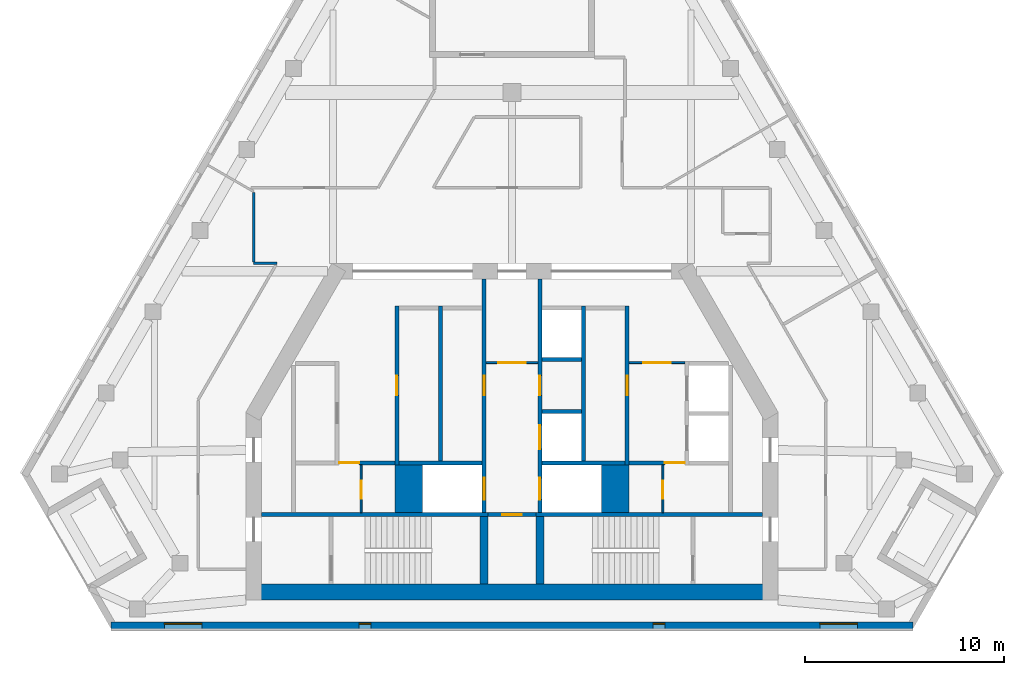
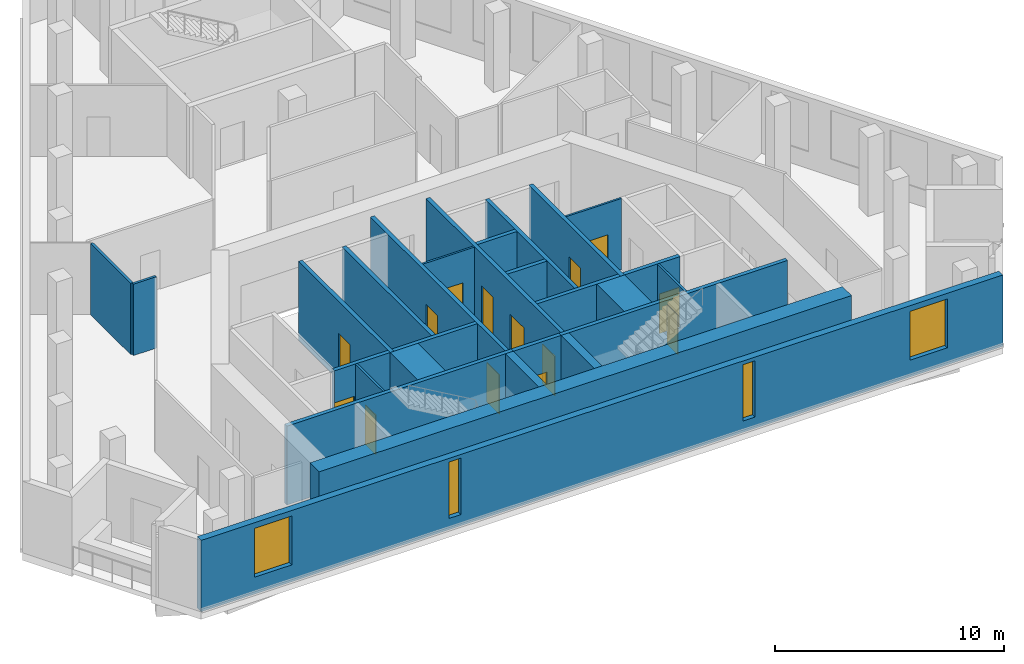
# One storey, part 3 of 8: 27 walls, 14 doors, 4 windows, 18 openings.
"""IFC4 building model written with IfcOpenShell, lengths in metres."""

from ifc_helpers import new_model, si_unit, direction, frame, frame_2d, origin, place, context, subcontext, project, spatial, rectangle, extrude, material, layer, layer_set, type_object, element, fill, save


model = new_model("IFC4")

# Units and contexts
model_context = context("Model", 3, precision=1e-05, world=origin(), true_north=direction((0.0, 1.0)))
body_context = subcontext(model_context, "Body", "Model", "MODEL_VIEW")
ifc_project = project(units=[si_unit("LENGTHUNIT", "METRE"), si_unit("AREAUNIT", "SQUARE_METRE"), si_unit("VOLUMEUNIT", "CUBIC_METRE"), si_unit("PLANEANGLEUNIT", "RADIAN"), si_unit("MASSUNIT", "GRAM", prefix="KILO")], contexts=[model_context])

# Site, building, storey
site_placement = place(None, origin())
site = spatial("IfcSite", under=ifc_project, at=site_placement, CompositionType="ELEMENT")
building_placement = place(site_placement, origin())
building = spatial("IfcBuilding", under=site, at=building_placement, Name="Fogline Exchange Tower", CompositionType="ELEMENT")
storey_placement = place(building_placement, frame((0.0, 0.0, 314.10009765625)))
storey = spatial("IfcBuildingStorey", under=building, at=storey_placement, Name="L71", CompositionType="ELEMENT", Elevation=314.10009765625)

# Wall, opening, door
ifc_material_1 = material(Name="Blockwork partition", Category="masonry")
ifc_layer_1 = layer(ifc_material_1, 0.10009765625)
ifc_layer_set_1 = layer_set([ifc_layer_1], Name="CW10")
wall_type_1 = type_object("IfcWallType", Name="CW10", PredefinedType="PARTITIONING", material=ifc_layer_set_1)
wall_1_placement = place(storey_placement, frame((-7.60009765625, 5.85009765625, 0.0), z_axis=(0.0, 0.0, 1.0), x_axis=(0.0, 1.0, 0.0)))
wall_1 = element("IfcWall", 1, at=wall_1_placement, inside=storey, type_object=wall_type_1, Name="WC partition", PredefinedType="PARTITIONING", context=body_context, shape_type="SweptSolid", body=[
    extrude(rectangle(XDim=2.39990234375, YDim=0.10009765625, at=frame_2d((1.199951171875, 0.0))), origin(), (0.0, 0.0, 1.0), 3.7998046875),
])
opening_1_placement = place(wall_1_placement, frame((0.699951171875, 0.0, 0.0)))
opening_1 = element("IfcOpeningElement", 2, at=opening_1_placement, cuts=wall_1, Name="Opening T22-C008", PredefinedType="OPENING", context=body_context, shape_type="SweptSolid", body=[
    extrude(rectangle(XDim=0.89990234375, YDim=2.10009765625, at=frame_2d((0.449951171875, 1.050048828125))), frame((0.0, 0.06005859375, 0.0), z_axis=(0.0, -1.0, 0.0), x_axis=(1.0, 0.0, 0.0)), (0.0, 0.0, 1.0), 0.1201171875),
])
ifc_material_2 = material(Name="Steel and timber fire door", Category="steel")
door_type_1 = type_object("IfcDoorType", Name="D-CS1", OperationType="SINGLE_SWING_RIGHT", PredefinedType="DOOR", material=ifc_material_2)
door_1_placement = place(opening_1_placement, frame((0.89990234375, 0.0, 0.0), z_axis=(0.0, 0.0, 1.0), x_axis=(-1.0, 0.0, 0.0)))
door_1 = element("IfcDoor", 3, at=door_1_placement, inside=storey, type_object=door_type_1, Name="Door to Cleaner's Store", OperationType="SINGLE_SWING_RIGHT", OverallHeight=2.10009765625, OverallWidth=0.89990234375, PredefinedType="DOOR", context=body_context, shape_type="SweptSolid", body=[
    extrude(rectangle(XDim=0.89990234375, YDim=2.10009765625, at=frame_2d((0.449951171875, 1.050048828125))), frame((0.0, 0.02490234375, 0.0), z_axis=(0.0, -1.0, 0.0), x_axis=(1.0, 0.0, 0.0)), (0.0, 0.0, 1.0), 0.050048828125),
])
fill(opening_1, door_1)

wall_2_placement = place(storey_placement, frame((5.89990234375, 13.39990234375, 0.0), z_axis=(0.0, 0.0, 1.0), x_axis=(1.0, 0.0, 0.0)))
wall_2 = element("IfcWall", 4, at=wall_2_placement, inside=storey, type_object=wall_type_1, Name="Lift lobby partition", PredefinedType="PARTITIONING", context=body_context, shape_type="SweptSolid", body=[
    extrude(rectangle(XDim=2.800048828125, YDim=0.10009765625, at=frame_2d((1.39990234375, 0.0))), origin(), (0.0, 0.0, 1.0), 3.7998046875),
])
opening_2_placement = place(wall_2_placement, frame((0.699951171875, 0.0, 0.0)))
opening_2 = element("IfcOpeningElement", 5, at=opening_2_placement, cuts=wall_2, Name="Opening T22-C012", PredefinedType="OPENING", context=body_context, shape_type="SweptSolid", body=[
    extrude(rectangle(XDim=1.39990234375, YDim=2.10009765625, at=frame_2d((0.699951171875, 1.050048828125))), frame((0.0, 0.06005859375, 0.0), z_axis=(0.0, -1.0, 0.0), x_axis=(1.0, 0.0, 0.0)), (0.0, 0.0, 1.0), 0.1201171875),
])
door_type_2 = type_object("IfcDoorType", Name="D-LB1", OperationType="DOUBLE_DOOR_SINGLE_SWING", PredefinedType="DOOR", material=ifc_material_2)
door_2_placement = place(opening_2_placement, frame((1.39990234375, 0.0, 0.0), z_axis=(0.0, 0.0, 1.0), x_axis=(-1.0, 0.0, 0.0)))
door_2 = element("IfcDoor", 6, at=door_2_placement, inside=storey, type_object=door_type_2, Name="Door to lift lobby", OperationType="DOUBLE_DOOR_SINGLE_SWING", OverallHeight=2.10009765625, OverallWidth=1.39990234375, PredefinedType="DOOR", context=body_context, shape_type="SweptSolid", body=[
    extrude(rectangle(XDim=1.39990234375, YDim=2.10009765625, at=frame_2d((0.699951171875, 1.050048828125))), frame((0.0, 0.02490234375, 0.0), z_axis=(0.0, -1.0, 0.0), x_axis=(1.0, 0.0, 0.0)), (0.0, 0.0, 1.0), 0.050048828125),
])
fill(opening_2, door_2)

wall_3_placement = place(storey_placement, frame((7.60009765625, 5.85009765625, 0.0), z_axis=(0.0, 0.0, 1.0), x_axis=(0.0, 1.0, 0.0)))
wall_3 = element("IfcWall", 7, at=wall_3_placement, inside=storey, type_object=wall_type_1, Name="WC partition", PredefinedType="PARTITIONING", context=body_context, shape_type="SweptSolid", body=[
    extrude(rectangle(XDim=2.39990234375, YDim=0.10009765625, at=frame_2d((1.199951171875, 0.0))), origin(), (0.0, 0.0, 1.0), 3.7998046875),
])
opening_3_placement = place(wall_3_placement, frame((0.699951171875, 0.0, 0.0)))
opening_3 = element("IfcOpeningElement", 8, at=opening_3_placement, cuts=wall_3, Name="Opening T22-C014", PredefinedType="OPENING", context=body_context, shape_type="SweptSolid", body=[
    extrude(rectangle(XDim=0.89990234375, YDim=2.10009765625, at=frame_2d((0.449951171875, 1.050048828125))), frame((0.0, 0.06005859375, 0.0), z_axis=(0.0, -1.0, 0.0), x_axis=(1.0, 0.0, 0.0)), (0.0, 0.0, 1.0), 0.1201171875),
])
door_3_placement = place(opening_3_placement, origin())
door_3 = element("IfcDoor", 9, at=door_3_placement, inside=storey, type_object=door_type_1, Name="Door to Cleaner's Store", OperationType="SINGLE_SWING_LEFT", OverallHeight=2.10009765625, OverallWidth=0.89990234375, PredefinedType="DOOR", context=body_context, shape_type="SweptSolid", body=[
    extrude(rectangle(XDim=0.89990234375, YDim=2.10009765625, at=frame_2d((0.449951171875, 1.050048828125))), frame((0.0, 0.02490234375, 0.0), z_axis=(0.0, -1.0, 0.0), x_axis=(1.0, 0.0, 0.0)), (0.0, 0.0, 1.0), 0.050048828125),
])
fill(opening_3, door_3)

wall_4_placement = place(storey_placement, frame((-1.300048828125, 13.39990234375, 0.0), z_axis=(0.0, 0.0, 1.0), x_axis=(1.0, 0.0, 0.0)))
wall_4 = element("IfcWall", 10, at=wall_4_placement, inside=storey, type_object=wall_type_1, Name="Lift lobby partition", PredefinedType="PARTITIONING", context=body_context, shape_type="SweptSolid", body=[
    extrude(rectangle(XDim=2.60009765625, YDim=0.10009765625, at=frame_2d((1.300048828125, 0.0))), origin(), (0.0, 0.0, 1.0), 3.7998046875),
])
opening_4_placement = place(wall_4_placement, frame((0.60009765625, 0.0, 0.0)))
opening_4 = element("IfcOpeningElement", 11, at=opening_4_placement, cuts=wall_4, Name="Opening T22-C018", PredefinedType="OPENING", context=body_context, shape_type="SweptSolid", body=[
    extrude(rectangle(XDim=1.39990234375, YDim=2.10009765625, at=frame_2d((0.699951171875, 1.050048828125))), frame((0.0, 0.06005859375, 0.0), z_axis=(0.0, -1.0, 0.0), x_axis=(1.0, 0.0, 0.0)), (0.0, 0.0, 1.0), 0.1201171875),
])
door_4_placement = place(opening_4_placement, origin())
door_4 = element("IfcDoor", 12, at=door_4_placement, inside=storey, type_object=door_type_2, Name="Door to firefighting lift lobby", OperationType="DOUBLE_DOOR_SINGLE_SWING", OverallHeight=2.10009765625, OverallWidth=1.39990234375, PredefinedType="DOOR", context=body_context, shape_type="SweptSolid", body=[
    extrude(rectangle(XDim=1.39990234375, YDim=2.10009765625, at=frame_2d((0.699951171875, 1.050048828125))), frame((0.0, 0.02490234375, 0.0), z_axis=(0.0, -1.0, 0.0), x_axis=(1.0, 0.0, 0.0)), (0.0, 0.0, 1.0), 0.050048828125),
])
fill(opening_4, door_4)

# Walls
ifc_material_3 = material(Name="Concrete C60", Category="concrete")
ifc_layer_2 = layer(ifc_material_3, 1.39990234375)
ifc_layer_set_2 = layer_set([ifc_layer_2], Name="CW140")
wall_type_2 = type_object("IfcWallType", Name="CW140", PredefinedType="SOLIDWALL", material=ifc_layer_set_2)
for number, where, z_axis, x_axis, name in (
    (13, (-5.199951171875, 5.85009765625, -0.400146484375), (0.0, 0.0, 1.0), (0.0, 1.0, 0.0), "Lift shaft block wall"),
    (14, (5.199951171875, 5.85009765625, -0.400146484375), (0.0, 0.0, 1.0), (0.0, 1.0, 0.0), "Lift shaft block wall"),
):
    element("IfcWall", number, at=place(storey_placement, frame(where, z_axis=z_axis, x_axis=x_axis)), inside=storey, type_object=wall_type_2, Name=name, PredefinedType="SOLIDWALL", context=body_context, shape_type="SweptSolid", body=[
        extrude(rectangle(XDim=2.39990234375, YDim=1.39990234375, at=frame_2d((1.199951171875, 0.0))), origin(), (0.0, 0.0, 1.0), 4.199951171875),
    ])

# Wall, opening, door
ifc_material_4 = material(Name="Concrete C40", Category="concrete")
ifc_layer_3 = layer(ifc_material_4, 0.199951171875)
ifc_layer_set_3 = layer_set([ifc_layer_3], Name="CW20")
wall_type_3 = type_object("IfcWallType", Name="CW20", PredefinedType="SOLIDWALL", material=ifc_layer_set_3)
wall_5_placement = place(storey_placement, frame((-8.699951171875, 8.35009765625, 0.0), z_axis=(0.0, 0.0, 1.0), x_axis=(1.0, 0.0, 0.0)))
wall_5 = element("IfcWall", 15, at=wall_5_placement, inside=storey, type_object=wall_type_3, Name="WC wall", PredefinedType="SOLIDWALL", context=body_context, shape_type="SweptSolid", body=[
    extrude(rectangle(XDim=2.800048828125, YDim=0.199951171875, at=frame_2d((1.39990234375, 0.0))), origin(), (0.0, 0.0, 1.0), 3.7998046875),
])
opening_5_placement = place(wall_5_placement, origin())
opening_5 = element("IfcOpeningElement", 16, at=opening_5_placement, cuts=wall_5, Name="Opening T22-C007", PredefinedType="OPENING", context=body_context, shape_type="SweptSolid", body=[
    extrude(rectangle(XDim=1.0, YDim=2.10009765625, at=frame_2d((0.5, 1.050048828125))), frame((0.0, 0.10986328125, 0.0), z_axis=(0.0, -1.0, 0.0), x_axis=(1.0, 0.0, 0.0)), (0.0, 0.0, 1.0), 0.219970703125),
])
door_type_3 = type_object("IfcDoorType", Name="D-WC1", OperationType="SINGLE_SWING_LEFT", PredefinedType="DOOR", material=ifc_material_2)
door_5_placement = place(opening_5_placement, frame((1.0, 0.0, 0.0), z_axis=(0.0, 0.0, 1.0), x_axis=(-1.0, 0.0, 0.0)))
door_5 = element("IfcDoor", 17, at=door_5_placement, inside=storey, type_object=door_type_3, Name="Door to Men's WC", OperationType="SINGLE_SWING_LEFT", OverallHeight=2.10009765625, OverallWidth=1.0, PredefinedType="DOOR", context=body_context, shape_type="SweptSolid", body=[
    extrude(rectangle(XDim=1.0, YDim=2.10009765625, at=frame_2d((0.5, 1.050048828125))), frame((0.0, 0.02490234375, 0.0), z_axis=(0.0, -1.0, 0.0), x_axis=(1.0, 0.0, 0.0)), (0.0, 0.0, 1.0), 0.050048828125),
])
fill(opening_5, door_5)

wall_6_placement = place(storey_placement, frame((5.89990234375, 8.35009765625, 0.0), z_axis=(0.0, 0.0, 1.0), x_axis=(1.0, 0.0, 0.0)))
wall_6 = element("IfcWall", 18, at=wall_6_placement, inside=storey, type_object=wall_type_3, Name="WC wall", PredefinedType="SOLIDWALL", context=body_context, shape_type="SweptSolid", body=[
    extrude(rectangle(XDim=2.800048828125, YDim=0.199951171875, at=frame_2d((1.39990234375, 0.0))), origin(), (0.0, 0.0, 1.0), 3.7998046875),
])
opening_6_placement = place(wall_6_placement, frame((1.800048828125, 0.0, 0.0)))
opening_6 = element("IfcOpeningElement", 19, at=opening_6_placement, cuts=wall_6, Name="Opening T22-C013", PredefinedType="OPENING", context=body_context, shape_type="SweptSolid", body=[
    extrude(rectangle(XDim=1.0, YDim=2.10009765625, at=frame_2d((0.5, 1.050048828125))), frame((0.0, 0.10986328125, 0.0), z_axis=(0.0, -1.0, 0.0), x_axis=(1.0, 0.0, 0.0)), (0.0, 0.0, 1.0), 0.219970703125),
])
door_6_placement = place(opening_6_placement, frame((1.0, 0.0, 0.0), z_axis=(0.0, 0.0, 1.0), x_axis=(-1.0, 0.0, 0.0)))
door_6 = element("IfcDoor", 20, at=door_6_placement, inside=storey, type_object=door_type_3, Name="Door to Women's WC", OperationType="SINGLE_SWING_LEFT", OverallHeight=2.10009765625, OverallWidth=1.0, PredefinedType="DOOR", context=body_context, shape_type="SweptSolid", body=[
    extrude(rectangle(XDim=1.0, YDim=2.10009765625, at=frame_2d((0.5, 1.050048828125))), frame((0.0, 0.02490234375, 0.0), z_axis=(0.0, -1.0, 0.0), x_axis=(1.0, 0.0, 0.0)), (0.0, 0.0, 1.0), 0.050048828125),
])
fill(opening_6, door_6)

# Wall
ifc_layer_4 = layer(ifc_material_4, 0.199951171875)
ifc_layer_set_4 = layer_set([ifc_layer_4], Name="CW20R")
wall_type_4 = type_object("IfcWallType", Name="CW20R", PredefinedType="SOLIDWALL", material=ifc_layer_set_4)
wall_7_placement = place(storey_placement, frame((-12.60009765625, 5.75, -0.400146484375), z_axis=(0.0, 0.0, 1.0), x_axis=(1.0, 0.0, 0.0)))
element("IfcWall", 21, at=wall_7_placement, inside=storey, type_object=wall_type_4, Name="Stair enclosure wall", PredefinedType="SOLIDWALL", context=body_context, shape_type="SweptSolid", body=[
    extrude(rectangle(XDim=11.400146484375, YDim=0.199951171875, at=frame_2d((5.7001953125, 0.0))), origin(), (0.0, 0.0, 1.0), 4.199951171875),
])

# Wall, opening, door
wall_8_placement = place(storey_placement, frame((-1.199951171875, 5.75, -0.400146484375), z_axis=(0.0, 0.0, 1.0), x_axis=(1.0, 0.0, 0.0)))
wall_8 = element("IfcWall", 22, at=wall_8_placement, inside=storey, type_object=wall_type_4, Name="Stair enclosure wall", PredefinedType="SOLIDWALL", context=body_context, shape_type="SweptSolid", body=[
    extrude(rectangle(XDim=2.39990234375, YDim=0.199951171875, at=frame_2d((1.199951171875, 0.0))), origin(), (0.0, 0.0, 1.0), 4.199951171875),
])
opening_7_placement = place(wall_8_placement, frame((0.699951171875, 0.0, 0.39990234375)))
opening_7 = element("IfcOpeningElement", 23, at=opening_7_placement, cuts=wall_8, Name="Opening T22-C006", PredefinedType="OPENING", context=body_context, shape_type="SweptSolid", body=[
    extrude(rectangle(XDim=1.0, YDim=2.10009765625, at=frame_2d((0.5, 1.050048828125))), frame((0.0, 0.10986328125, 0.0), z_axis=(0.0, -1.0, 0.0), x_axis=(1.0, 0.0, 0.0)), (0.0, 0.0, 1.0), 0.219970703125),
])
door_type_4 = type_object("IfcDoorType", Name="D-RM1", OperationType="SINGLE_SWING_LEFT", PredefinedType="DOOR", material=ifc_material_2)
door_7_placement = place(opening_7_placement, frame((1.0, 0.0, 0.0), z_axis=(0.0, 0.0, 1.0), x_axis=(-1.0, 0.0, 0.0)))
door_7 = element("IfcDoor", 24, at=door_7_placement, inside=storey, type_object=door_type_4, Name="Door to Riser Room", OperationType="SINGLE_SWING_RIGHT", OverallHeight=2.10009765625, OverallWidth=1.0, PredefinedType="DOOR", context=body_context, shape_type="SweptSolid", body=[
    extrude(rectangle(XDim=1.0, YDim=2.10009765625, at=frame_2d((0.5, 1.050048828125))), frame((0.0, 0.02490234375, 0.0), z_axis=(0.0, -1.0, 0.0), x_axis=(1.0, 0.0, 0.0)), (0.0, 0.0, 1.0), 0.050048828125),
])
fill(opening_7, door_7)

# Wall
wall_9_placement = place(storey_placement, frame((1.199951171875, 5.75, -0.400146484375), z_axis=(0.0, 0.0, 1.0), x_axis=(1.0, 0.0, 0.0)))
element("IfcWall", 25, at=wall_9_placement, inside=storey, type_object=wall_type_4, Name="Stair enclosure wall", PredefinedType="SOLIDWALL", context=body_context, shape_type="SweptSolid", body=[
    extrude(rectangle(XDim=11.400146484375, YDim=0.199951171875, at=frame_2d((5.7001953125, 0.0))), origin(), (0.0, 0.0, 1.0), 4.199951171875),
])

# Wall, opening, door
ifc_layer_5 = layer(ifc_material_4, 0.199951171875)
ifc_layer_set_5 = layer_set([ifc_layer_5], Name="CW20S")
wall_type_5 = type_object("IfcWallType", Name="CW20S", PredefinedType="SOLIDWALL", material=ifc_layer_set_5)
wall_10_placement = place(storey_placement, frame((-5.800048828125, 8.25, -0.400146484375), z_axis=(0.0, 0.0, 1.0), x_axis=(0.0, 1.0, 0.0)))
wall_10 = element("IfcWall", 26, at=wall_10_placement, inside=storey, type_object=wall_type_5, Name="Lift shaft wall", PredefinedType="SOLIDWALL", context=body_context, shape_type="SweptSolid", body=[
    extrude(rectangle(XDim=8.0, YDim=0.199951171875, at=frame_2d((4.0, 0.0))), origin(), (0.0, 0.0, 1.0), 4.199951171875),
])
opening_8_placement = place(wall_10_placement, frame((3.5, 0.0, 0.39990234375)))
opening_8 = element("IfcOpeningElement", 27, at=opening_8_placement, cuts=wall_10, Name="Opening T22-C002", PredefinedType="OPENING", context=body_context, shape_type="SweptSolid", body=[
    extrude(rectangle(XDim=1.0, YDim=2.10009765625, at=frame_2d((0.5, 1.050048828125))), frame((0.0, 0.10986328125, 0.0), z_axis=(0.0, -1.0, 0.0), x_axis=(1.0, 0.0, 0.0)), (0.0, 0.0, 1.0), 0.219970703125),
])
door_8_placement = place(opening_8_placement, frame((1.0, 0.0, 0.0), z_axis=(0.0, 0.0, 1.0), x_axis=(-1.0, 0.0, 0.0)))
door_8 = element("IfcDoor", 28, at=door_8_placement, inside=storey, type_object=door_type_4, Name="Door to Service Hall", OperationType="SINGLE_SWING_RIGHT", OverallHeight=2.10009765625, OverallWidth=1.0, PredefinedType="DOOR", context=body_context, shape_type="SweptSolid", body=[
    extrude(rectangle(XDim=1.0, YDim=2.10009765625, at=frame_2d((0.5, 1.050048828125))), frame((0.0, 0.02490234375, 0.0), z_axis=(0.0, -1.0, 0.0), x_axis=(1.0, 0.0, 0.0)), (0.0, 0.0, 1.0), 0.050048828125),
])
fill(opening_8, door_8)

wall_11_placement = place(storey_placement, frame((5.800048828125, 8.25, -0.400146484375), z_axis=(0.0, 0.0, 1.0), x_axis=(0.0, 1.0, 0.0)))
wall_11 = element("IfcWall", 29, at=wall_11_placement, inside=storey, type_object=wall_type_5, Name="Lift shaft wall", PredefinedType="SOLIDWALL", context=body_context, shape_type="SweptSolid", body=[
    extrude(rectangle(XDim=8.0, YDim=0.199951171875, at=frame_2d((4.0, 0.0))), origin(), (0.0, 0.0, 1.0), 4.199951171875),
])
opening_9_placement = place(wall_11_placement, frame((3.5, 0.0, 0.39990234375)))
opening_9 = element("IfcOpeningElement", 30, at=opening_9_placement, cuts=wall_11, Name="Opening T22-C004", PredefinedType="OPENING", context=body_context, shape_type="SweptSolid", body=[
    extrude(rectangle(XDim=1.0, YDim=2.10009765625, at=frame_2d((0.5, 1.050048828125))), frame((0.0, 0.10986328125, 0.0), z_axis=(0.0, -1.0, 0.0), x_axis=(1.0, 0.0, 0.0)), (0.0, 0.0, 1.0), 0.219970703125),
])
door_9_placement = place(opening_9_placement, origin())
door_9 = element("IfcDoor", 31, at=door_9_placement, inside=storey, type_object=door_type_4, Name="Door to Trading Desk Annexe", OperationType="SINGLE_SWING_LEFT", OverallHeight=2.10009765625, OverallWidth=1.0, PredefinedType="DOOR", context=body_context, shape_type="SweptSolid", body=[
    extrude(rectangle(XDim=1.0, YDim=2.10009765625, at=frame_2d((0.5, 1.050048828125))), frame((0.0, 0.02490234375, 0.0), z_axis=(0.0, -1.0, 0.0), x_axis=(1.0, 0.0, 0.0)), (0.0, 0.0, 1.0), 0.050048828125),
])
fill(opening_9, door_9)

# Walls
for number, where, z_axis, x_axis, name in (
    (32, (-3.60009765625, 8.449951171875, -0.400146484375), (0.0, 0.0, 1.0), (0.0, 1.0, 0.0), "Lift shaft wall"),
    (33, (3.60009765625, 8.449951171875, -0.400146484375), (0.0, 0.0, 1.0), (0.0, 1.0, 0.0), "Lift shaft wall"),
):
    element("IfcWall", number, at=place(storey_placement, frame(where, z_axis=z_axis, x_axis=x_axis)), inside=storey, type_object=wall_type_5, Name=name, PredefinedType="SOLIDWALL", context=body_context, shape_type="SweptSolid", body=[
        extrude(rectangle(XDim=7.800048828125, YDim=0.199951171875, at=frame_2d((3.89990234375, 0.0))), origin(), (0.0, 0.0, 1.0), 4.199951171875),
    ])

# Wall, openings, doors
wall_12_placement = place(storey_placement, frame((-1.39990234375, 5.85009765625, -0.400146484375), z_axis=(0.0, 0.0, 1.0), x_axis=(0.0, 1.0, 0.0)))
wall_12 = element("IfcWall", 34, at=wall_12_placement, inside=storey, type_object=wall_type_5, Name="Lift lobby wall", PredefinedType="SOLIDWALL", context=body_context, shape_type="SweptSolid", body=[
    extrude(rectangle(XDim=11.75, YDim=0.199951171875, at=frame_2d((5.875, 0.0))), origin(), (0.0, 0.0, 1.0), 4.199951171875),
])
opening_10_placement = place(wall_12_placement, frame((0.64990234375, 0.0, 0.39990234375)))
opening_10 = element("IfcOpeningElement", 35, at=opening_10_placement, cuts=wall_12, Name="Opening T22-LD01", PredefinedType="OPENING", context=body_context, shape_type="SweptSolid", body=[
    extrude(rectangle(XDim=1.10009765625, YDim=2.10009765625, at=frame_2d((0.550048828125, 1.050048828125))), frame((0.0, 0.10986328125, 0.0), z_axis=(0.0, -1.0, 0.0), x_axis=(1.0, 0.0, 0.0)), (0.0, 0.0, 1.0), 0.219970703125),
])
opening_11_placement = place(wall_12_placement, frame((5.89990234375, 0.0, 0.39990234375)))
opening_11 = element("IfcOpeningElement", 36, at=opening_11_placement, cuts=wall_12, Name="Opening T22-C003", PredefinedType="OPENING", context=body_context, shape_type="SweptSolid", body=[
    extrude(rectangle(XDim=1.0, YDim=2.10009765625, at=frame_2d((0.5, 1.050048828125))), frame((0.0, 0.10986328125, 0.0), z_axis=(0.0, -1.0, 0.0), x_axis=(1.0, 0.0, 0.0)), (0.0, 0.0, 1.0), 0.219970703125),
])
door_10_placement = place(opening_11_placement, origin())
door_10 = element("IfcDoor", 37, at=door_10_placement, inside=storey, type_object=door_type_4, Name="Door to Records Hall", OperationType="SINGLE_SWING_LEFT", OverallHeight=2.10009765625, OverallWidth=1.0, PredefinedType="DOOR", context=body_context, shape_type="SweptSolid", body=[
    extrude(rectangle(XDim=1.0, YDim=2.10009765625, at=frame_2d((0.5, 1.050048828125))), frame((0.0, 0.02490234375, 0.0), z_axis=(0.0, -1.0, 0.0), x_axis=(1.0, 0.0, 0.0)), (0.0, 0.0, 1.0), 0.050048828125),
])
fill(opening_11, door_10)
door_type_5 = type_object("IfcDoorType", Name="LD2", OperationType="SLIDING_TO_RIGHT", PredefinedType="DOOR", material=ifc_material_2)
door_11_placement = place(opening_10_placement, origin())
door_11 = element("IfcDoor", 38, at=door_11_placement, inside=storey, type_object=door_type_5, Name="Landing door FF1", OperationType="SLIDING_TO_RIGHT", OverallHeight=2.10009765625, OverallWidth=1.10009765625, PredefinedType="DOOR", context=body_context, shape_type="SweptSolid", body=[
    extrude(rectangle(XDim=1.10009765625, YDim=2.10009765625, at=frame_2d((0.550048828125, 1.050048828125))), frame((0.0, 0.02490234375, 0.0), z_axis=(0.0, -1.0, 0.0), x_axis=(1.0, 0.0, 0.0)), (0.0, 0.0, 1.0), 0.050048828125),
])
fill(opening_10, door_11)

wall_13_placement = place(storey_placement, frame((1.39990234375, 5.85009765625, -0.400146484375), z_axis=(0.0, 0.0, 1.0), x_axis=(0.0, 1.0, 0.0)))
wall_13 = element("IfcWall", 39, at=wall_13_placement, inside=storey, type_object=wall_type_5, Name="Lift lobby wall", PredefinedType="SOLIDWALL", context=body_context, shape_type="SweptSolid", body=[
    extrude(rectangle(XDim=11.75, YDim=0.199951171875, at=frame_2d((5.875, 0.0))), origin(), (0.0, 0.0, 1.0), 4.199951171875),
])
opening_12_placement = place(wall_13_placement, frame((3.199951171875, 0.0, 0.39990234375)))
opening_12 = element("IfcOpeningElement", 40, at=opening_12_placement, cuts=wall_13, Name="Opening T22-LD04", PredefinedType="OPENING", context=body_context, shape_type="SweptSolid", body=[
    extrude(rectangle(XDim=1.199951171875, YDim=2.10009765625, at=frame_2d((0.60009765625, 1.050048828125))), frame((0.0, 0.10986328125, 0.0), z_axis=(0.0, -1.0, 0.0), x_axis=(1.0, 0.0, 0.0)), (0.0, 0.0, 1.0), 0.219970703125),
])
opening_13_placement = place(wall_13_placement, frame((0.64990234375, 0.0, 0.39990234375)))
opening_13 = element("IfcOpeningElement", 41, at=opening_13_placement, cuts=wall_13, Name="Opening T22-LD05", PredefinedType="OPENING", context=body_context, shape_type="SweptSolid", body=[
    extrude(rectangle(XDim=1.10009765625, YDim=2.10009765625, at=frame_2d((0.550048828125, 1.050048828125))), frame((0.0, 0.10986328125, 0.0), z_axis=(0.0, -1.0, 0.0), x_axis=(1.0, 0.0, 0.0)), (0.0, 0.0, 1.0), 0.219970703125),
])
opening_14_placement = place(wall_13_placement, frame((5.89990234375, 0.0, 0.39990234375)))
opening_14 = element("IfcOpeningElement", 42, at=opening_14_placement, cuts=wall_13, Name="Opening T22-C005", PredefinedType="OPENING", context=body_context, shape_type="SweptSolid", body=[
    extrude(rectangle(XDim=1.0, YDim=2.10009765625, at=frame_2d((0.5, 1.050048828125))), frame((0.0, 0.10986328125, 0.0), z_axis=(0.0, -1.0, 0.0), x_axis=(1.0, 0.0, 0.0)), (0.0, 0.0, 1.0), 0.219970703125),
])
door_12_placement = place(opening_14_placement, frame((1.0, 0.0, 0.0), z_axis=(0.0, 0.0, 1.0), x_axis=(-1.0, 0.0, 0.0)))
door_12 = element("IfcDoor", 43, at=door_12_placement, inside=storey, type_object=door_type_4, Name="Door to Cable Store", OperationType="SINGLE_SWING_RIGHT", OverallHeight=2.10009765625, OverallWidth=1.0, PredefinedType="DOOR", context=body_context, shape_type="SweptSolid", body=[
    extrude(rectangle(XDim=1.0, YDim=2.10009765625, at=frame_2d((0.5, 1.050048828125))), frame((0.0, 0.02490234375, 0.0), z_axis=(0.0, -1.0, 0.0), x_axis=(1.0, 0.0, 0.0)), (0.0, 0.0, 1.0), 0.050048828125),
])
fill(opening_14, door_12)
door_type_6 = type_object("IfcDoorType", Name="LD1", OperationType="SLIDING_TO_LEFT", PredefinedType="DOOR", material=ifc_material_2)
door_13_placement = place(opening_12_placement, origin())
door_13 = element("IfcDoor", 44, at=door_13_placement, inside=storey, type_object=door_type_6, Name="Landing door HR3", OperationType="SLIDING_TO_LEFT", OverallHeight=2.10009765625, OverallWidth=1.199951171875, PredefinedType="DOOR", context=body_context, shape_type="SweptSolid", body=[
    extrude(rectangle(XDim=1.199951171875, YDim=2.10009765625, at=frame_2d((0.60009765625, 1.050048828125))), frame((0.0, 0.02490234375, 0.0), z_axis=(0.0, -1.0, 0.0), x_axis=(1.0, 0.0, 0.0)), (0.0, 0.0, 1.0), 0.050048828125),
])
fill(opening_12, door_13)
door_14_placement = place(opening_13_placement, origin())
door_14 = element("IfcDoor", 45, at=door_14_placement, inside=storey, type_object=door_type_5, Name="Landing door FF2", OperationType="SLIDING_TO_RIGHT", OverallHeight=2.10009765625, OverallWidth=1.10009765625, PredefinedType="DOOR", context=body_context, shape_type="SweptSolid", body=[
    extrude(rectangle(XDim=1.10009765625, YDim=2.10009765625, at=frame_2d((0.550048828125, 1.050048828125))), frame((0.0, 0.02490234375, 0.0), z_axis=(0.0, -1.0, 0.0), x_axis=(1.0, 0.0, 0.0)), (0.0, 0.0, 1.0), 0.050048828125),
])
fill(opening_13, door_14)

# Walls
for number, where, z_axis, x_axis, name in (
    (46, (-5.699951171875, 8.35009765625, -0.400146484375), (0.0, 0.0, 1.0), (1.0, 0.0, 0.0), "Lift shaft wall"),
    (47, (1.5, 8.35009765625, -0.400146484375), (0.0, 0.0, 1.0), (1.0, 0.0, 0.0), "Lift shaft wall"),
):
    element("IfcWall", number, at=place(storey_placement, frame(where, z_axis=z_axis, x_axis=x_axis)), inside=storey, type_object=wall_type_5, Name=name, PredefinedType="SOLIDWALL", context=body_context, shape_type="SweptSolid", body=[
        extrude(rectangle(XDim=4.199951171875, YDim=0.199951171875, at=frame_2d((2.10009765625, 0.0))), origin(), (0.0, 0.0, 1.0), 4.199951171875),
    ])
for number, where, z_axis, x_axis, name in (
    (48, (1.5, 10.949951171875, -0.400146484375), (0.0, 0.0, 1.0), (1.0, 0.0, 0.0), "Lift shaft wall"),
    (49, (1.5, 13.550048828125, -0.400146484375), (0.0, 0.0, 1.0), (1.0, 0.0, 0.0), "Lift shaft wall"),
):
    element("IfcWall", number, at=place(storey_placement, frame(where, z_axis=z_axis, x_axis=x_axis)), inside=storey, type_object=wall_type_5, Name=name, PredefinedType="SOLIDWALL", context=body_context, shape_type="SweptSolid", body=[
        extrude(rectangle(XDim=2.0, YDim=0.199951171875, at=frame_2d((1.0, 0.0))), origin(), (0.0, 0.0, 1.0), 4.199951171875),
    ])
ifc_layer_6 = layer(ifc_material_4, 0.39990234375)
ifc_layer_set_6 = layer_set([ifc_layer_6], Name="CW40R")
wall_type_6 = type_object("IfcWallType", Name="CW40R", PredefinedType="SOLIDWALL", material=ifc_layer_set_6)
for number, where, z_axis, x_axis, name in (
    (50, (-1.39990234375, 2.25, -0.400146484375), (0.0, 0.0, 1.0), (0.0, 1.0, 0.0), "Stair and lift shaft wall"),
    (51, (1.39990234375, 2.25, -0.400146484375), (0.0, 0.0, 1.0), (0.0, 1.0, 0.0), "Stair and lift shaft wall"),
):
    element("IfcWall", number, at=place(storey_placement, frame(where, z_axis=z_axis, x_axis=x_axis)), inside=storey, type_object=wall_type_6, Name=name, PredefinedType="SOLIDWALL", context=body_context, shape_type="SweptSolid", body=[
        extrude(rectangle(XDim=3.39990234375, YDim=0.39990234375, at=frame_2d((1.699951171875, 0.0))), origin(), (0.0, 0.0, 1.0), 4.199951171875),
    ])

# Wall, openings, windows
ifc_material_5 = material(Name="Brick masonry", Category="masonry")
ifc_layer_7 = layer(ifc_material_5, 0.340087890625)
ifc_layer_set_7 = layer_set([ifc_layer_7], Name="FW1")
wall_type_7 = type_object("IfcWallType", Name="FW1", PredefinedType="SOLIDWALL", material=ifc_layer_set_7)
wall_14_placement = place(storey_placement, frame((-20.1796875, 0.169921875, 0.0), z_axis=(0.0, 0.0, 1.0), x_axis=(1.0, 0.0, 0.0)))
wall_14 = element("IfcWall", 52, at=wall_14_placement, inside=storey, type_object=wall_type_7, Name="Brick wall L71 S", PredefinedType="SOLIDWALL", context=body_context, shape_type="SweptSolid", body=[
    extrude(rectangle(XDim=40.359375, YDim=0.340087890625, at=frame_2d((20.1796875, 0.0))), origin(), (0.0, 0.0, 1.0), 3.7998046875),
])
opening_15_placement = place(wall_14_placement, frame((2.6796875, 0.0, 0.89990234375)))
opening_15 = element("IfcOpeningElement", 53, at=opening_15_placement, cuts=wall_14, Name="Opening W3", PredefinedType="OPENING", context=body_context, shape_type="SweptSolid", body=[
    extrude(rectangle(XDim=1.885009765625, YDim=2.60009765625, at=frame_2d((0.9423828125, 1.300048828125))), frame((0.0, 0.18017578125, 0.0), z_axis=(0.0, -1.0, 0.0), x_axis=(1.0, 0.0, 0.0)), (0.0, 0.0, 1.0), 0.360107421875),
])
opening_16_placement = place(wall_14_placement, frame((35.6796875, 0.0, 0.89990234375)))
opening_16 = element("IfcOpeningElement", 54, at=opening_16_placement, cuts=wall_14, Name="Opening W3", PredefinedType="OPENING", context=body_context, shape_type="SweptSolid", body=[
    extrude(rectangle(XDim=1.885009765625, YDim=2.60009765625, at=frame_2d((0.9423828125, 1.300048828125))), frame((0.0, 0.18017578125, 0.0), z_axis=(0.0, -1.0, 0.0), x_axis=(1.0, 0.0, 0.0)), (0.0, 0.0, 1.0), 0.360107421875),
])
opening_17_placement = place(wall_14_placement, frame((12.479736328125, 0.0, 0.60009765625)))
opening_17 = element("IfcOpeningElement", 55, at=opening_17_placement, cuts=wall_14, Name="Opening W5", PredefinedType="OPENING", context=body_context, shape_type="SweptSolid", body=[
    extrude(rectangle(XDim=0.60009765625, YDim=3.0, at=frame_2d((0.300048828125, 1.5))), frame((0.0, 0.18017578125, 0.0), z_axis=(0.0, -1.0, 0.0), x_axis=(1.0, 0.0, 0.0)), (0.0, 0.0, 1.0), 0.360107421875),
])
opening_18_placement = place(wall_14_placement, frame((27.27978515625, 0.0, 0.60009765625)))
opening_18 = element("IfcOpeningElement", 56, at=opening_18_placement, cuts=wall_14, Name="Opening W5", PredefinedType="OPENING", context=body_context, shape_type="SweptSolid", body=[
    extrude(rectangle(XDim=0.60009765625, YDim=3.0, at=frame_2d((0.300048828125, 1.5))), frame((0.0, 0.18017578125, 0.0), z_axis=(0.0, -1.0, 0.0), x_axis=(1.0, 0.0, 0.0)), (0.0, 0.0, 1.0), 0.360107421875),
])
ifc_material_6 = material(Name="Aluminium and glass", Category="aluminium")
window_type_1 = type_object("IfcWindowType", Name="W3", PartitioningType="SINGLE_PANEL", PredefinedType="WINDOW", material=ifc_material_6)
window_1_placement = place(opening_15_placement, origin())
window_1 = element("IfcWindow", 57, at=window_1_placement, inside=storey, type_object=window_type_1, Name="W3 W3", OverallHeight=2.60009765625, OverallWidth=1.885009765625, PartitioningType="SINGLE_PANEL", PredefinedType="WINDOW", context=body_context, shape_type="SweptSolid", body=[
    extrude(rectangle(XDim=1.885009765625, YDim=2.60009765625, at=frame_2d((0.9423828125, 1.300048828125))), frame((0.0, 0.110107421875, 0.0), z_axis=(0.0, -1.0, 0.0), x_axis=(1.0, 0.0, 0.0)), (0.0, 0.0, 1.0), 0.06005859375),
])
fill(opening_15, window_1)
window_2_placement = place(opening_16_placement, origin())
window_2 = element("IfcWindow", 58, at=window_2_placement, inside=storey, type_object=window_type_1, Name="W3 W3", OverallHeight=2.60009765625, OverallWidth=1.885009765625, PartitioningType="SINGLE_PANEL", PredefinedType="WINDOW", context=body_context, shape_type="SweptSolid", body=[
    extrude(rectangle(XDim=1.885009765625, YDim=2.60009765625, at=frame_2d((0.9423828125, 1.300048828125))), frame((0.0, 0.110107421875, 0.0), z_axis=(0.0, -1.0, 0.0), x_axis=(1.0, 0.0, 0.0)), (0.0, 0.0, 1.0), 0.06005859375),
])
fill(opening_16, window_2)
window_type_2 = type_object("IfcWindowType", Name="W5", PartitioningType="SINGLE_PANEL", PredefinedType="WINDOW", material=ifc_material_6)
window_3_placement = place(opening_17_placement, origin())
window_3 = element("IfcWindow", 59, at=window_3_placement, inside=storey, type_object=window_type_2, Name="W5 W5", OverallHeight=3.0, OverallWidth=0.60009765625, PartitioningType="SINGLE_PANEL", PredefinedType="WINDOW", context=body_context, shape_type="SweptSolid", body=[
    extrude(rectangle(XDim=0.60009765625, YDim=3.0, at=frame_2d((0.300048828125, 1.5))), frame((0.0, 0.110107421875, 0.0), z_axis=(0.0, -1.0, 0.0), x_axis=(1.0, 0.0, 0.0)), (0.0, 0.0, 1.0), 0.06005859375),
])
fill(opening_17, window_3)
window_4_placement = place(opening_18_placement, origin())
window_4 = element("IfcWindow", 60, at=window_4_placement, inside=storey, type_object=window_type_2, Name="W5 W5", OverallHeight=3.0, OverallWidth=0.60009765625, PartitioningType="SINGLE_PANEL", PredefinedType="WINDOW", context=body_context, shape_type="SweptSolid", body=[
    extrude(rectangle(XDim=0.60009765625, YDim=3.0, at=frame_2d((0.300048828125, 1.5))), frame((0.0, 0.110107421875, 0.0), z_axis=(0.0, -1.0, 0.0), x_axis=(1.0, 0.0, 0.0)), (0.0, 0.0, 1.0), 0.06005859375),
])
fill(opening_18, window_4)

# Walls
ifc_material_7 = material(Name="Plasterboard corridor partition with mineral wool, 2 layers each side")
ifc_layer_8 = layer(ifc_material_7, 0.125)
ifc_layer_set_8 = layer_set([ifc_layer_8], Name="PW2")
wall_type_8 = type_object("IfcWallType", Name="PW2", PredefinedType="PARTITIONING", material=ifc_layer_set_8)
wall_15_placement = place(storey_placement, frame((-11.83642578125, 18.39990234375, 0.0), z_axis=(0.0, 0.0, 1.0), x_axis=(-1.0, 0.0, 0.0)))
element("IfcWall", 61, at=wall_15_placement, inside=storey, type_object=wall_type_8, Name="wall-L71-W013", PredefinedType="PARTITIONING", context=body_context, shape_type="SweptSolid", body=[
    extrude(rectangle(XDim=1.16357421875, YDim=0.125, at=frame_2d((0.581787109375, 0.0))), origin(), (0.0, 0.0, 1.0), 3.7998046875),
])
wall_16_placement = place(storey_placement, frame((-13.0, 18.46240234375, 0.0), z_axis=(0.0, 0.0, 1.0), x_axis=(0.0, 1.0, 0.0)))
element("IfcWall", 62, at=wall_16_placement, inside=storey, type_object=wall_type_8, Name="wall-L71-W014", PredefinedType="PARTITIONING", context=body_context, shape_type="SweptSolid", body=[
    extrude(rectangle(XDim=3.500244140625, YDim=0.125, at=frame_2d((1.75, 0.0))), origin(), (0.0, 0.0, 1.0), 3.7998046875),
])
ifc_material_8 = material(Name="Concrete C50", Category="concrete")
ifc_layer_9 = layer(ifc_material_8, 0.800048828125)
ifc_layer_set_9 = layer_set([ifc_layer_9], Name="SW04")
wall_type_9 = type_object("IfcWallType", Name="SW04", PredefinedType="SHEAR", material=ifc_layer_set_9)
wall_17_placement = place(storey_placement, frame((-13.39990234375, 1.85009765625, 0.0), z_axis=(0.0, 0.0, 1.0), x_axis=(1.0, 0.0, 0.0)))
element("IfcWall", 63, at=wall_17_placement, inside=storey, type_object=wall_type_9, Name="L71-W901", PredefinedType="SHEAR", context=body_context, shape_type="SweptSolid", body=[
    extrude(rectangle(XDim=26.7998046875, YDim=0.800048828125, at=frame_2d((13.39990234375, 0.0))), origin(), (0.0, 0.0, 1.0), 4.199951171875),
])

save(model, "model.ifc")
